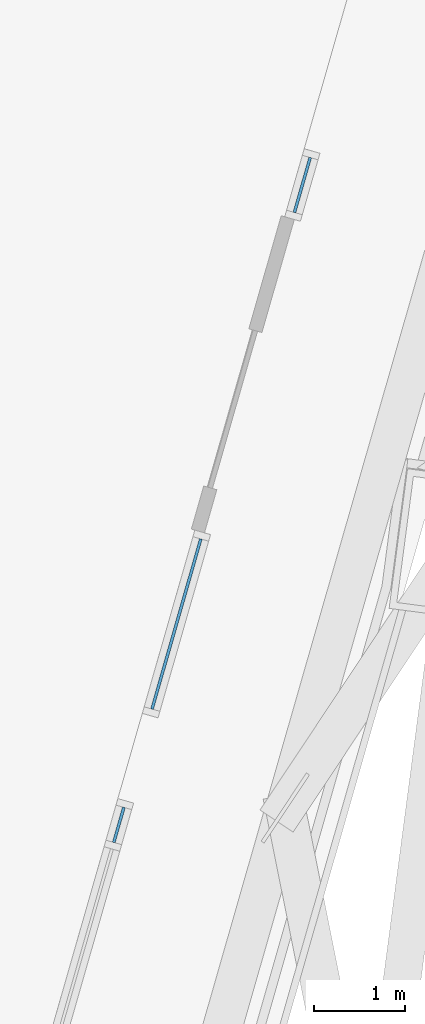
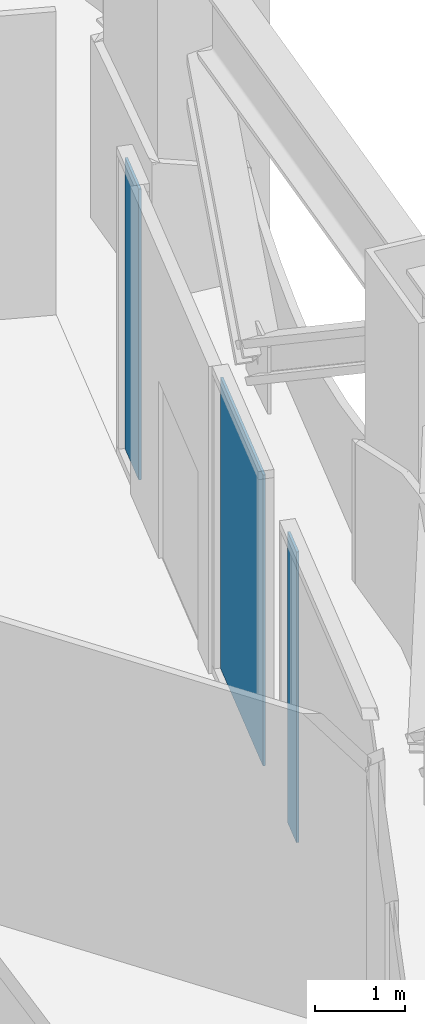
# One storey, part 9 of 26: 3 plates, 3 elements without a shape of their own.
"""IFC4 building model written with IfcOpenShell, lengths in metres."""

from ifc_helpers import new_model, si_unit, direction, frame, origin, origin_2d, place, context, subcontext, project, spatial, rectangle, extrude, material, layer, layer_set, type_object, element, aggregate, save


model = new_model("IFC4")

# Units and contexts
model_context = context("Model", 3, precision=1e-05, world=origin(), true_north=direction((0.0, 1.0)))
body_context = subcontext(model_context, "Body", "Model", "MODEL_VIEW")
ifc_project = project(units=[si_unit("LENGTHUNIT", "METRE"), si_unit("AREAUNIT", "SQUARE_METRE"), si_unit("VOLUMEUNIT", "CUBIC_METRE"), si_unit("PLANEANGLEUNIT", "RADIAN"), si_unit("MASSUNIT", "GRAM", prefix="KILO")], contexts=[model_context])

# Site, building, storey
site_placement = place(None, origin())
site = spatial("IfcSite", under=ifc_project, at=site_placement, CompositionType="ELEMENT")
building_placement = place(site_placement, origin())
building = spatial("IfcBuilding", under=site, at=building_placement, Name="Trine Commons Tower", CompositionType="ELEMENT")
storey_placement = place(building_placement, frame((0.0, 0.0, 119.699951171875)))
storey = spatial("IfcBuildingStorey", under=building, at=storey_placement, Name="L30", CompositionType="ELEMENT", Elevation=119.699951171875)

# Curtain wall, plate
ifc_material_1 = material(Name="Sky lounge glazing: anodised aluminium frame with low-emissivity double glazed unit, solar control", Category="aluminium")
ifc_layer_1 = layer(ifc_material_1, 0.179931640625)
ifc_layer_set_1 = layer_set([ifc_layer_1], Name="Sky lounge glazing: anodised aluminium frame with low-emissivity double glazed unit, solar control")
curtain_wall_type = type_object("IfcCurtainWallType", Name="Sky lounge glazing curtain wall CW5", PredefinedType="NOTDEFINED", material=ifc_layer_set_1)
curtain_wall_1_placement = place(storey_placement, origin())
curtain_wall_1 = element("IfcCurtainWall", 1, at=curtain_wall_1_placement, inside=storey, type_object=curtain_wall_type, Name="Sky lounge glazing L30 F2.1", PredefinedType="NOTDEFINED")
ifc_material_2 = material(Name="Low-emissivity double glazed unit, solar control")
ifc_layer_2 = layer(ifc_material_2, 0.031982421875)
ifc_layer_set_2 = layer_set([ifc_layer_2], Name="Low-emissivity double glazed unit, solar control")
plate_type = type_object("IfcPlateType", Name="Double glazed unit 32 mm (sky floors)", PredefinedType="CURTAIN_PANEL", material=ifc_layer_set_2)
plate_1_placement = place(storey_placement, frame((95.983154296875, 52.72265625, 0.10986328125), z_axis=(0.0, 0.0, 1.0), x_axis=(-0.275637355817, -0.961261695938, 0.0)))
plate_1 = element("IfcPlate", 2, at=plate_1_placement, type_object=plate_type, Name="CW5 panel 1.1", PredefinedType="CURTAIN_PANEL", context=body_context, shape_type="SweptSolid", body=[
    extrude(rectangle(XDim=0.62890625, YDim=0.031982421875, at=origin_2d()), origin(), (0.0, 0.0, 1.0), 3.929931640625),
])
aggregate(curtain_wall_1, [plate_1])

curtain_wall_2_placement = place(storey_placement, origin())
curtain_wall_2 = element("IfcCurtainWall", 3, at=curtain_wall_2_placement, inside=storey, type_object=curtain_wall_type, Name="Sky lounge glazing L30 F2.2", PredefinedType="NOTDEFINED")
plate_2_placement = place(storey_placement, frame((94.597412109375, 47.890625, 0.10986328125), z_axis=(0.0, 0.0, 1.0), x_axis=(-0.275637355817, -0.961261695938, 0.0)))
plate_2 = element("IfcPlate", 4, at=plate_2_placement, type_object=plate_type, Name="CW5 panel 1.1", PredefinedType="CURTAIN_PANEL", context=body_context, shape_type="SweptSolid", body=[
    extrude(rectangle(XDim=1.947998046875, YDim=0.031982421875, at=origin_2d()), origin(), (0.0, 0.0, 1.0), 3.929931640625),
])
aggregate(curtain_wall_2, [plate_2])

curtain_wall_3_placement = place(storey_placement, origin())
curtain_wall_3 = element("IfcCurtainWall", 5, at=curtain_wall_3_placement, inside=storey, type_object=curtain_wall_type, Name="Sky lounge glazing L30 F2.3", PredefinedType="NOTDEFINED")
plate_3_placement = place(storey_placement, frame((93.96337890625, 45.678955078125, 0.10986328125), z_axis=(0.0, 0.0, 1.0), x_axis=(-0.275637355817, -0.961261695938, 0.0)))
plate_3 = element("IfcPlate", 6, at=plate_3_placement, type_object=plate_type, Name="CW5 panel 1.1", PredefinedType="CURTAIN_PANEL", context=body_context, shape_type="SweptSolid", body=[
    extrude(rectangle(XDim=0.401611328125, YDim=0.031982421875, at=origin_2d()), origin(), (0.0, 0.0, 1.0), 3.929931640625),
])
aggregate(curtain_wall_3, [plate_3])

save(model, "model.ifc")
